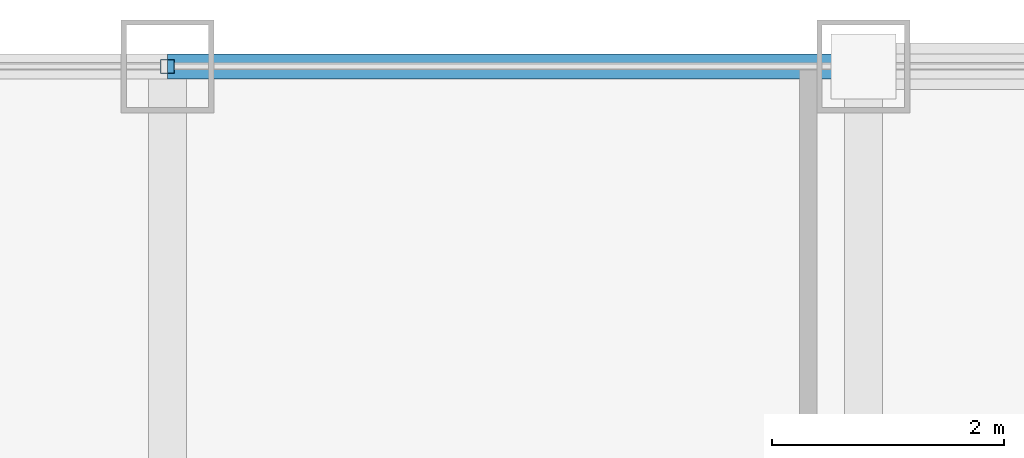
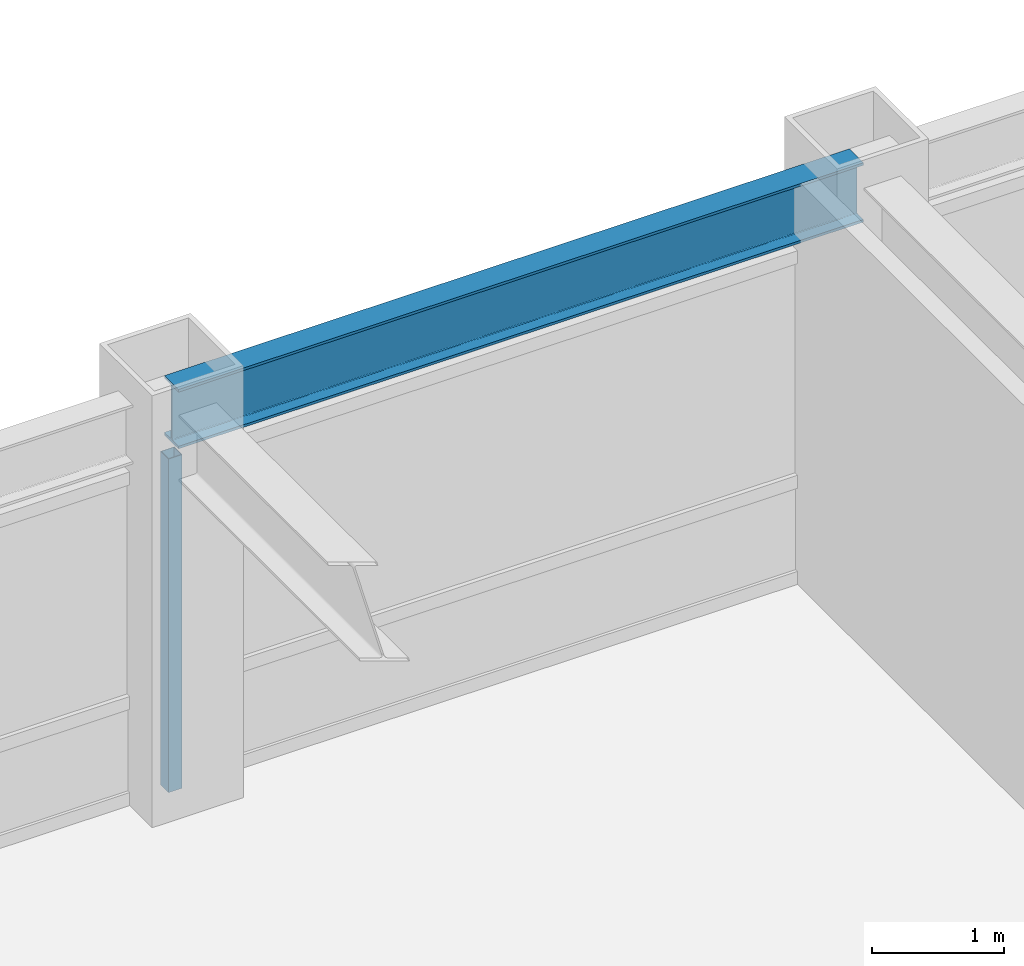
# One storey, part 18 of 28: 1 beam, 1 member, 1 element without a shape of its own.
"""IFC4 building model written with IfcOpenShell, lengths in metres."""

from ifc_helpers import new_model, si_unit, direction, frame, origin, origin_2d, place, context, subcontext, project, spatial, hollow_rectangle, i_section, extrude, source, transform, mapped, material, material_profile, profile_set, type_object, element, aggregate, save


model = new_model("IFC4")

# Units and contexts
model_context = context("Model", 3, precision=1e-05, world=origin(), true_north=direction((0.0, 1.0)))
body_context = subcontext(model_context, "Body", "Model", "MODEL_VIEW")
ifc_project = project(units=[si_unit("LENGTHUNIT", "METRE"), si_unit("AREAUNIT", "SQUARE_METRE"), si_unit("VOLUMEUNIT", "CUBIC_METRE"), si_unit("PLANEANGLEUNIT", "RADIAN"), si_unit("MASSUNIT", "GRAM", prefix="KILO")], contexts=[model_context])

# Site, building, storey
site_placement = place(None, origin())
site = spatial("IfcSite", under=ifc_project, at=site_placement, CompositionType="ELEMENT")
building_placement = place(site_placement, origin())
building = spatial("IfcBuilding", under=site, at=building_placement, Name="Khorayat Bourse Tower", CompositionType="ELEMENT")
storey_placement = place(building_placement, frame((0.0, 0.0, 338.300048828125)))
storey = spatial("IfcBuildingStorey", under=building, at=storey_placement, Name="L80", CompositionType="ELEMENT", Elevation=338.300048828125)

# Beam
ifc_material_1 = material(Name="Steel ASTM A992 Grade 50", Category="steel")
ifc_material_profile_1 = material_profile(ifc_material_1, i_section(OverallWidth=0.214111328125, OverallDepth=0.549072265625, WebThickness=0.0146484375, FlangeThickness=0.023681640625, FilletRadius=0.013916015625, at=origin_2d()), Name="W530X138")
ifc_profile_set_1 = profile_set([ifc_material_profile_1], Name="Steel ASTM A992 Grade 50")
beam_type = type_object("IfcBeamType", Name="BM-SPAN-530", PredefinedType="SPANDREL", material=ifc_profile_set_1)
shared_shape_1 = source(origin(), body_context, "Body", "SweptSolid", [
    extrude(i_section(OverallWidth=0.214111328125, OverallDepth=0.549072265625, WebThickness=0.0146484375, FlangeThickness=0.023681640625, FilletRadius=0.013916015625, at=origin_2d()), origin(), (0.0, 0.0, 1.0), 6.0),
])
beam_placement = place(storey_placement, frame((0.0, 26.0, 3.46533203125), z_axis=(1.0, 0.0, 0.0), x_axis=(0.0, 1.0, 0.0)))
element("IfcBeam", 1, at=beam_placement, inside=storey, type_object=beam_type, Name="L80 BM-SPAN-530 BM-L80-SPN-042", PredefinedType="SPANDREL", context=body_context, shape_type="MappedRepresentation", body=[
    mapped(shared_shape_1, transform((0.0, 0.0, 0.0), scale=1.0)),
])

# Curtain wall, member
ifc_material_2 = material(Name="Aluminium EN AW-6063 T6", Category="aluminium")
curtain_wall_type = type_object("IfcCurtainWallType", Name="CW-SYS-04", PredefinedType="NOTDEFINED", material=ifc_material_2)
curtain_wall_placement = place(storey_placement, origin())
curtain_wall = element("IfcCurtainWall", 2, at=curtain_wall_placement, inside=storey, type_object=curtain_wall_type, Name="L80 Curtain Wall CW-L80-N1", PredefinedType="NOTDEFINED")
ifc_material_profile_2 = material_profile(ifc_material_2, hollow_rectangle(XDim=0.1201171875, YDim=0.1201171875, WallThickness=0.0048828125, at=origin_2d()), Name="ALU 120x120x5")
ifc_profile_set_2 = profile_set([ifc_material_profile_2], Name="Aluminium EN AW-6063 T6")
member_type = type_object("IfcMemberType", Name="CWM-VERT-120", PredefinedType="MULLION", material=ifc_profile_set_2)
shared_shape_2 = source(origin(), body_context, "Body", "SweptSolid", [
    extrude(hollow_rectangle(XDim=0.1201171875, YDim=0.1201171875, WallThickness=0.0048828125, at=origin_2d()), origin(), (0.0, 0.0, 1.0), 3.08984375),
])
member_placement = place(storey_placement, frame((0.0, 26.0, 0.0), z_axis=(0.0, 0.0, 1.0), x_axis=(0.0, 1.0, 0.0)))
member = element("IfcMember", 3, at=member_placement, type_object=member_type, Name="CW-L80-N1 Vertical Mullion 2", PredefinedType="MULLION", context=body_context, shape_type="MappedRepresentation", body=[
    mapped(shared_shape_2, transform((0.0, 0.0, 0.0), scale=1.0)),
])
aggregate(curtain_wall, [member])

save(model, "model.ifc")
